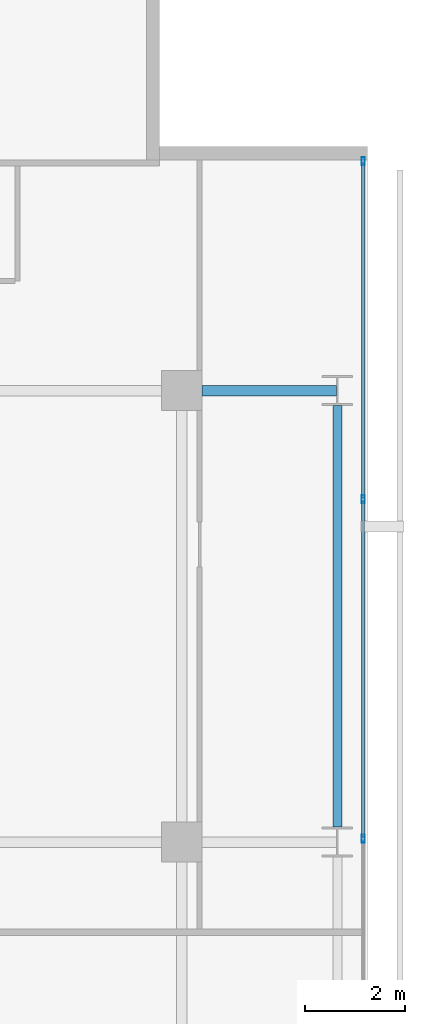
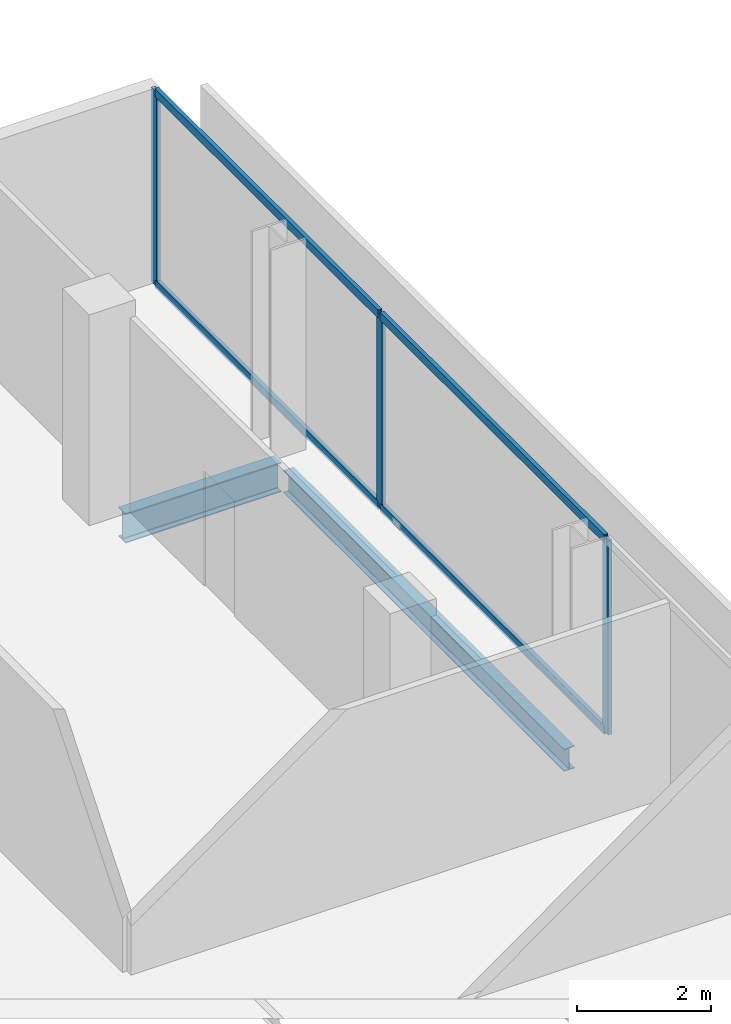
# One storey, part 24 of 32: 7 members, 2 beams, 1 element without a shape of its own.
"""IFC4 building model written with IfcOpenShell, lengths in metres."""

from ifc_helpers import new_model, si_unit, direction, frame, origin, origin_2d, place, context, subcontext, project, spatial, hollow_rectangle, i_section, extrude, material, layer, layer_set, material_profile, profile_set, type_object, element, aggregate, save


model = new_model("IFC4")

# Units and contexts
model_context = context("Model", 3, precision=1e-05, world=origin(), true_north=direction((0.0, 1.0)))
body_context = subcontext(model_context, "Body", "Model", "MODEL_VIEW")
ifc_project = project(units=[si_unit("LENGTHUNIT", "METRE"), si_unit("AREAUNIT", "SQUARE_METRE"), si_unit("VOLUMEUNIT", "CUBIC_METRE"), si_unit("PLANEANGLEUNIT", "RADIAN"), si_unit("MASSUNIT", "GRAM", prefix="KILO")], contexts=[model_context])

# Site, building, storey
site_placement = place(None, origin())
site = spatial("IfcSite", under=ifc_project, at=site_placement, CompositionType="ELEMENT")
building_placement = place(site_placement, origin())
building = spatial("IfcBuilding", under=site, at=building_placement, Name="Maruvema Waterfront Hotel and Observation Tower", CompositionType="ELEMENT")
storey_placement = place(building_placement, frame((0.0, 0.0, 223.64990234375)))
storey = spatial("IfcBuildingStorey", under=building, at=storey_placement, Name="L55", CompositionType="ELEMENT", Elevation=223.64990234375)

# Curtain wall, members
ifc_material_1 = material(Name="Anodised bronze aluminium and solar-control low-E IGU", Category="aluminium")
ifc_layer = layer(ifc_material_1, 0.159912109375, Name="Zone 2 Amber Inner Thermal Curtain Wall System CW-03")
ifc_layer_set = layer_set([ifc_layer], Name="Anodised bronze aluminium and solar-control low-E IGU")
curtain_wall_type = type_object("IfcCurtainWallType", Name="Zone 2 Amber Inner Thermal Curtain Wall System CW-03", PredefinedType="USERDEFINED", material=ifc_layer_set)
curtain_wall_placement = place(storey_placement, origin())
curtain_wall = element("IfcCurtainWall", 1, at=curtain_wall_placement, inside=storey, type_object=curtain_wall_type, Name="L55 Curtain Wall CW-L55-E", ObjectType="UNITISED CURTAIN WALL", PredefinedType="USERDEFINED")
ifc_material_2 = material(Name="Anodised architectural bronze aluminium", Category="aluminium")
ifc_material_profile_1 = material_profile(ifc_material_2, hollow_rectangle(XDim=0.070068359375, YDim=0.14990234375, WallThickness=0.00390625, at=origin_2d()), Name="ALU-T70x150")
ifc_profile_set_1 = profile_set([ifc_material_profile_1], Name="Anodised architectural bronze aluminium")
member_type_1 = type_object("IfcMemberType", Name="Curtain Wall Horizontal Transom ALU-T70x150", PredefinedType="USERDEFINED", material=ifc_profile_set_1)
member_1_placement = place(storey_placement, frame((62.419921875, 36.0966796875, 0.030029296875), z_axis=(0.0, 1.0, 0.0), x_axis=(-1.0, 0.0, 0.0)))
member_1 = element("IfcMember", 2, at=member_1_placement, type_object=member_type_1, Name="CW-03 transom 5.1", ObjectType="TRANSOM", PredefinedType="USERDEFINED", context=body_context, shape_type="SweptSolid", body=[
    extrude(hollow_rectangle(XDim=0.070068359375, YDim=0.14990234375, WallThickness=0.00390625, at=origin_2d()), origin(), (0.0, 0.0, 1.0), 6.70654296875),
])
member_2_placement = place(storey_placement, frame((62.419921875, 36.0966796875, 3.52001953125), z_axis=(0.0, 1.0, 0.0), x_axis=(-1.0, 0.0, 0.0)))
member_2 = element("IfcMember", 3, at=member_2_placement, type_object=member_type_1, Name="CW-03 transom 5.2", ObjectType="TRANSOM", PredefinedType="USERDEFINED", context=body_context, shape_type="SweptSolid", body=[
    extrude(hollow_rectangle(XDim=0.070068359375, YDim=0.14990234375, WallThickness=0.00390625, at=origin_2d()), origin(), (0.0, 0.0, 1.0), 6.70654296875),
])
member_3_placement = place(storey_placement, frame((62.419921875, 42.86328125, 0.030029296875), z_axis=(0.0, 1.0, 0.0), x_axis=(-1.0, 0.0, 0.0)))
member_3 = element("IfcMember", 4, at=member_3_placement, type_object=member_type_1, Name="CW-03 transom 6.1", ObjectType="TRANSOM", PredefinedType="USERDEFINED", context=body_context, shape_type="SweptSolid", body=[
    extrude(hollow_rectangle(XDim=0.070068359375, YDim=0.14990234375, WallThickness=0.00390625, at=origin_2d()), origin(), (0.0, 0.0, 1.0), 6.6767578125),
])
member_4_placement = place(storey_placement, frame((62.419921875, 42.86328125, 3.52001953125), z_axis=(0.0, 1.0, 0.0), x_axis=(-1.0, 0.0, 0.0)))
member_4 = element("IfcMember", 5, at=member_4_placement, type_object=member_type_1, Name="CW-03 transom 6.2", ObjectType="TRANSOM", PredefinedType="USERDEFINED", context=body_context, shape_type="SweptSolid", body=[
    extrude(hollow_rectangle(XDim=0.070068359375, YDim=0.14990234375, WallThickness=0.00390625, at=origin_2d()), origin(), (0.0, 0.0, 1.0), 6.6767578125),
])
ifc_material_3 = material(Name="Anodised architectural bronze aluminium", Category="aluminium")
ifc_material_profile_2 = material_profile(ifc_material_3, hollow_rectangle(XDim=0.06494140625, YDim=0.1650390625, WallThickness=0.00390625, at=origin_2d()), Name="ALU-M65x165")
ifc_profile_set_2 = profile_set([ifc_material_profile_2], Name="Anodised architectural bronze aluminium")
member_type_2 = type_object("IfcMemberType", Name="Curtain Wall Primary Mullion ALU-M65x165", PredefinedType="MULLION", material=ifc_profile_set_2)
member_5_placement = place(storey_placement, frame((62.419921875, 36.066650390625, 0.0), z_axis=(0.0, 0.0, 1.0), x_axis=(-1.0, 0.0, 0.0)))
member_5 = element("IfcMember", 6, at=member_5_placement, type_object=member_type_2, Name="CW-03 mullion 5", PredefinedType="MULLION", context=body_context, shape_type="SweptSolid", body=[
    extrude(hollow_rectangle(XDim=0.06494140625, YDim=0.1650390625, WallThickness=0.00390625, at=origin_2d()), origin(), (0.0, 0.0, 1.0), 3.550048828125),
])
member_6_placement = place(storey_placement, frame((62.419921875, 42.833251953125, 0.0), z_axis=(0.0, 0.0, 1.0), x_axis=(-1.0, 0.0, 0.0)))
member_6 = element("IfcMember", 7, at=member_6_placement, type_object=member_type_2, Name="CW-03 mullion 6", PredefinedType="MULLION", context=body_context, shape_type="SweptSolid", body=[
    extrude(hollow_rectangle(XDim=0.06494140625, YDim=0.1650390625, WallThickness=0.00390625, at=origin_2d()), origin(), (0.0, 0.0, 1.0), 3.550048828125),
])
member_7_placement = place(storey_placement, frame((62.419921875, 49.570068359375, 0.0), z_axis=(0.0, 0.0, 1.0), x_axis=(-1.0, 0.0, 0.0)))
member_7 = element("IfcMember", 8, at=member_7_placement, type_object=member_type_2, Name="CW-03 mullion 7", PredefinedType="MULLION", context=body_context, shape_type="SweptSolid", body=[
    extrude(hollow_rectangle(XDim=0.06494140625, YDim=0.1650390625, WallThickness=0.00390625, at=origin_2d()), origin(), (0.0, 0.0, 1.0), 3.550048828125),
])
aggregate(curtain_wall, [member_5, member_6, member_7, member_1, member_2, member_3, member_4])

# Beams
ifc_material_4 = material(Name="Steel ASTM A572 Grade 50", Category="steel")
ifc_material_profile_3 = material_profile(ifc_material_4, i_section(OverallWidth=0.178955078125, OverallDepth=0.409912109375, WebThickness=0.0087890625, FlangeThickness=0.014404296875, FilletRadius=0.014892578125, at=origin_2d()), Name="W410x67.0")
ifc_profile_set_3 = profile_set([ifc_material_profile_3], Name="Steel ASTM A572 Grade 50")
beam_type_1 = type_object("IfcBeamType", Name="Perimeter Spandrel Beam W410x67.0", PredefinedType="SPANDREL", material=ifc_profile_set_3)
beam_1_placement = place(storey_placement, frame((61.89990234375, 36.300048828125, -0.44482421875), z_axis=(0.0, 1.0, 0.0), x_axis=(-1.0, 0.0, 0.0)))
element("IfcBeam", 9, at=beam_1_placement, inside=storey, type_object=beam_type_1, Name="L55 Floor Girder NS-32", PredefinedType="SPANDREL", context=body_context, shape_type="SweptSolid", body=[
    extrude(i_section(OverallWidth=0.178955078125, OverallDepth=0.409912109375, WebThickness=0.0087890625, FlangeThickness=0.014404296875, FilletRadius=0.014892578125, at=origin_2d()), origin(), (0.0, 0.0, 1.0), 8.39990234375),
])
ifc_material_5 = material(Name="Steel ASTM A572 Grade 50", Category="steel")
ifc_material_profile_4 = material_profile(ifc_material_5, i_section(OverallWidth=0.2109375, OverallDepth=0.5390625, WebThickness=0.01171875, FlangeThickness=0.018798828125, FilletRadius=0.014892578125, at=origin_2d()), Name="W530x109.0")
ifc_profile_set_4 = profile_set([ifc_material_profile_4], Name="Steel ASTM A572 Grade 50")
beam_type_2 = type_object("IfcBeamType", Name="Primary Floor Girder W530x109.0", PredefinedType="BEAM", material=ifc_profile_set_4)
beam_2_placement = place(storey_placement, frame((59.199951171875, 45.0, -0.509521484375), z_axis=(1.0, 0.0, 0.0), x_axis=(0.0, 1.0, 0.0)))
element("IfcBeam", 10, at=beam_2_placement, inside=storey, type_object=beam_type_2, Name="L55 Floor Girder EW-33", PredefinedType="BEAM", context=body_context, shape_type="SweptSolid", body=[
    extrude(i_section(OverallWidth=0.2109375, OverallDepth=0.5390625, WebThickness=0.01171875, FlangeThickness=0.018798828125, FilletRadius=0.014892578125, at=origin_2d()), origin(), (0.0, 0.0, 1.0), 2.6875),
])

save(model, "model.ifc")
